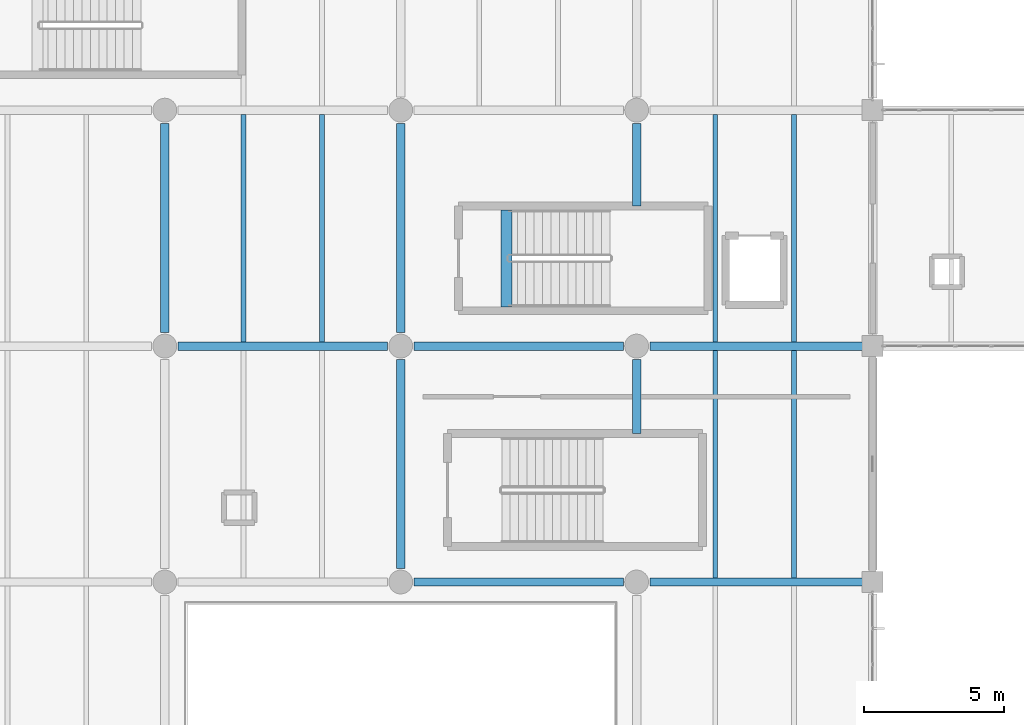
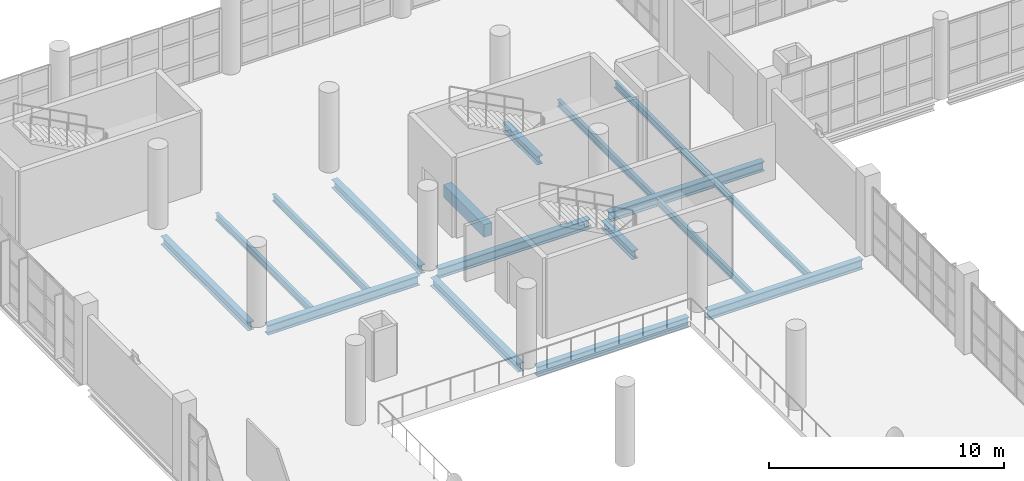
# One storey, part 57 of 177: 17 beams.
"""IFC4 building model written with IfcOpenShell, lengths in metres."""

from ifc_helpers import new_model, si_unit, direction, frame, origin, origin_2d, place, context, subcontext, project, spatial, rectangle, i_section, extrude, material, material_profile, profile_set, type_object, element, save


model = new_model("IFC4")

# Units and contexts
model_context = context("Model", 3, precision=1e-05, world=origin(), true_north=direction((0.0, 1.0)))
body_context = subcontext(model_context, "Body", "Model", "MODEL_VIEW")
ifc_project = project(units=[si_unit("LENGTHUNIT", "METRE"), si_unit("AREAUNIT", "SQUARE_METRE"), si_unit("VOLUMEUNIT", "CUBIC_METRE"), si_unit("PLANEANGLEUNIT", "RADIAN"), si_unit("MASSUNIT", "GRAM", prefix="KILO"), si_unit("THERMODYNAMICTEMPERATUREUNIT", "KELVIN"), si_unit("POWERUNIT", "WATT")], contexts=[model_context])

# Site, building, storey
site_placement = place(None, origin())
site = spatial("IfcSite", under=ifc_project, at=site_placement, CompositionType="ELEMENT")
building_placement = place(site_placement, origin())
building = spatial("IfcBuilding", under=site, at=building_placement, Name="Mavoryth Pier Ferry Terminal", CompositionType="ELEMENT")
storey_placement = place(building_placement, frame((0.0, 0.0, 5.43994140625)))
storey = spatial("IfcBuildingStorey", under=building, at=storey_placement, Name="L01", CompositionType="ELEMENT", Elevation=5.43994140625)

# Beams
ifc_material_1 = material(Name="Steel S355J2", Category="steel")
ifc_material_profile_1 = material_profile(ifc_material_1, i_section(OverallWidth=0.300048828125, OverallDepth=0.43994140625, WebThickness=0.011474609375, FlangeThickness=0.02099609375, FilletRadius=0.027099609375, at=origin_2d()), Name="HEA 450", Category="steel")
ifc_profile_set_1 = profile_set([ifc_material_profile_1], Name="Steel S355J2 - HEA 450")
beam_type_1 = type_object("IfcBeamType", Name="Beam-Steel-HEA450", PredefinedType="BEAM", material=ifc_profile_set_1)
beam_1_placement = place(storey_placement, frame((8.39990234375, 89.675048828125, -0.5), z_axis=(0.0, 1.0, 0.0), x_axis=(-1.0, 0.0, 0.0)))
element("IfcBeam", 1, at=beam_1_placement, inside=storey, type_object=beam_type_1, Name="Beam B01-SB03-0090", PredefinedType="BEAM", context=body_context, shape_type="SweptSolid", body=[
    extrude(i_section(OverallWidth=0.300048828125, OverallDepth=0.43994140625, WebThickness=0.011474609375, FlangeThickness=0.02099609375, FilletRadius=0.027099609375, at=origin_2d()), origin(), (0.0, 0.0, 1.0), 7.449951171875),
])
beam_2_placement = place(storey_placement, frame((16.800048828125, 81.27490234375, -0.5), z_axis=(0.0, 1.0, 0.0), x_axis=(-1.0, 0.0, 0.0)))
element("IfcBeam", 2, at=beam_2_placement, inside=storey, type_object=beam_type_1, Name="Beam B01-SB03-0094", PredefinedType="BEAM", context=body_context, shape_type="SweptSolid", body=[
    extrude(i_section(OverallWidth=0.300048828125, OverallDepth=0.43994140625, WebThickness=0.011474609375, FlangeThickness=0.02099609375, FilletRadius=0.027099609375, at=origin_2d()), origin(), (0.0, 0.0, 1.0), 7.4501953125),
])
beam_3_placement = place(storey_placement, frame((16.800048828125, 89.675048828125, -0.5), z_axis=(0.0, 1.0, 0.0), x_axis=(-1.0, 0.0, 0.0)))
element("IfcBeam", 3, at=beam_3_placement, inside=storey, type_object=beam_type_1, Name="Beam B01-SB03-0095", PredefinedType="BEAM", context=body_context, shape_type="SweptSolid", body=[
    extrude(i_section(OverallWidth=0.300048828125, OverallDepth=0.43994140625, WebThickness=0.011474609375, FlangeThickness=0.02099609375, FilletRadius=0.027099609375, at=origin_2d()), origin(), (0.0, 0.0, 1.0), 7.449951171875),
])
beam_4_placement = place(storey_placement, frame((25.199951171875, 86.080078125, -0.5), z_axis=(0.0, 1.0, 0.0), x_axis=(-1.0, 0.0, 0.0)))
element("IfcBeam", 4, at=beam_4_placement, inside=storey, type_object=beam_type_1, Name="Beam B01-SB03-0101", PredefinedType="BEAM", context=body_context, shape_type="SweptSolid", body=[
    extrude(i_section(OverallWidth=0.300048828125, OverallDepth=0.43994140625, WebThickness=0.011474609375, FlangeThickness=0.02099609375, FilletRadius=0.027099609375, at=origin_2d()), origin(), (0.0, 0.0, 1.0), 2.64501953125),
])
beam_5_placement = place(storey_placement, frame((25.199951171875, 94.179931640625, -0.5), z_axis=(0.0, 1.0, 0.0), x_axis=(-1.0, 0.0, 0.0)))
element("IfcBeam", 5, at=beam_5_placement, inside=storey, type_object=beam_type_1, Name="Beam B01-SB03-0102", PredefinedType="BEAM", context=body_context, shape_type="SweptSolid", body=[
    extrude(i_section(OverallWidth=0.300048828125, OverallDepth=0.43994140625, WebThickness=0.011474609375, FlangeThickness=0.02099609375, FilletRadius=0.027099609375, at=origin_2d()), origin(), (0.0, 0.0, 1.0), 2.945068359375),
])
ifc_material_profile_2 = material_profile(ifc_material_1, i_section(OverallWidth=0.300048828125, OverallDepth=0.5, WebThickness=0.014404296875, FlangeThickness=0.028076171875, FilletRadius=0.027099609375, at=origin_2d()), Name="HEB 500", Category="steel")
ifc_profile_set_2 = profile_set([ifc_material_profile_2], Name="Steel S355J2 - HEB 500")
beam_type_2 = type_object("IfcBeamType", Name="Beam-Steel-HEB500", PredefinedType="BEAM", material=ifc_profile_set_2)
beam_6_placement = place(storey_placement, frame((17.27490234375, 80.800048828125, -0.530029296875), z_axis=(1.0, 0.0, 0.0), x_axis=(0.0, 1.0, 0.0)))
element("IfcBeam", 6, at=beam_6_placement, inside=storey, type_object=beam_type_2, Name="Beam B01-SB01-0064", PredefinedType="BEAM", context=body_context, shape_type="SweptSolid", body=[
    extrude(i_section(OverallWidth=0.300048828125, OverallDepth=0.5, WebThickness=0.014404296875, FlangeThickness=0.028076171875, FilletRadius=0.027099609375, at=origin_2d()), origin(), (0.0, 0.0, 1.0), 7.4501953125),
])
beam_7_placement = place(storey_placement, frame((25.675048828125, 80.800048828125, -0.530029296875), z_axis=(1.0, 0.0, 0.0), x_axis=(0.0, 1.0, 0.0)))
element("IfcBeam", 7, at=beam_7_placement, inside=storey, type_object=beam_type_2, Name="Beam B01-SB01-0065", PredefinedType="BEAM", context=body_context, shape_type="SweptSolid", body=[
    extrude(i_section(OverallWidth=0.300048828125, OverallDepth=0.5, WebThickness=0.014404296875, FlangeThickness=0.028076171875, FilletRadius=0.027099609375, at=origin_2d()), origin(), (0.0, 0.0, 1.0), 7.599853515625),
])
beam_8_placement = place(storey_placement, frame((8.875, 89.199951171875, -0.530029296875), z_axis=(1.0, 0.0, 0.0), x_axis=(0.0, 1.0, 0.0)))
element("IfcBeam", 8, at=beam_8_placement, inside=storey, type_object=beam_type_2, Name="Beam B01-SB01-0067", PredefinedType="BEAM", context=body_context, shape_type="SweptSolid", body=[
    extrude(i_section(OverallWidth=0.300048828125, OverallDepth=0.5, WebThickness=0.014404296875, FlangeThickness=0.028076171875, FilletRadius=0.027099609375, at=origin_2d()), origin(), (0.0, 0.0, 1.0), 7.449951171875),
])
beam_9_placement = place(storey_placement, frame((17.27490234375, 89.199951171875, -0.530029296875), z_axis=(1.0, 0.0, 0.0), x_axis=(0.0, 1.0, 0.0)))
element("IfcBeam", 9, at=beam_9_placement, inside=storey, type_object=beam_type_2, Name="Beam B01-SB01-0068", PredefinedType="BEAM", context=body_context, shape_type="SweptSolid", body=[
    extrude(i_section(OverallWidth=0.300048828125, OverallDepth=0.5, WebThickness=0.014404296875, FlangeThickness=0.028076171875, FilletRadius=0.027099609375, at=origin_2d()), origin(), (0.0, 0.0, 1.0), 7.4501953125),
])
beam_10_placement = place(storey_placement, frame((25.675048828125, 89.199951171875, -0.530029296875), z_axis=(1.0, 0.0, 0.0), x_axis=(0.0, 1.0, 0.0)))
element("IfcBeam", 10, at=beam_10_placement, inside=storey, type_object=beam_type_2, Name="Beam B01-SB01-0069", PredefinedType="BEAM", context=body_context, shape_type="SweptSolid", body=[
    extrude(i_section(OverallWidth=0.300048828125, OverallDepth=0.5, WebThickness=0.014404296875, FlangeThickness=0.028076171875, FilletRadius=0.027099609375, at=origin_2d()), origin(), (0.0, 0.0, 1.0), 7.599853515625),
])
ifc_material_2 = material(Name="Concrete C35/45", Category="concrete")
ifc_material_profile_3 = material_profile(ifc_material_2, rectangle(XDim=0.39990234375, YDim=0.64990234375, at=origin_2d()), Name="RC 400x650", Category="concrete")
ifc_profile_set_3 = profile_set([ifc_material_profile_3], Name="Concrete C35/45 - RC 400x650")
beam_type_3 = type_object("IfcBeamType", Name="Girder-RC-400x650", PredefinedType="BEAM", material=ifc_profile_set_3)
beam_11_placement = place(storey_placement, frame((20.570068359375, 90.60009765625, -0.324951171875), z_axis=(0.0, 1.0, 0.0), x_axis=(-1.0, 0.0, 0.0)))
element("IfcBeam", 11, at=beam_11_placement, inside=storey, type_object=beam_type_3, Name="Beam B01-BG05-1567", PredefinedType="BEAM", context=body_context, shape_type="SweptSolid", body=[
    extrude(rectangle(XDim=0.39990234375, YDim=0.64990234375, at=origin_2d()), origin(), (0.0, 0.0, 1.0), 3.449951171875),
])
ifc_material_profile_4 = material_profile(ifc_material_1, i_section(OverallWidth=0.169921875, OverallDepth=0.360107421875, WebThickness=0.008056640625, FlangeThickness=0.0126953125, FilletRadius=0.01806640625, at=origin_2d()), Name="IPE 360", Category="steel")
ifc_profile_set_4 = profile_set([ifc_material_profile_4], Name="Steel S355J2 - IPE 360")
beam_type_4 = type_object("IfcBeamType", Name="Joist-Steel-IPE360", PredefinedType="JOIST", material=ifc_profile_set_4)
for number, where, z_axis, x_axis, name in (
    (12, (11.199951171875, 89.35009765625, -0.4599609375), (0.0, 1.0, 0.0), (-1.0, 0.0, 0.0), "Beam B01-SJ02-0125"),
    (13, (14.0, 89.35009765625, -0.4599609375), (0.0, 1.0, 0.0), (-1.0, 0.0, 0.0), "Beam B01-SJ02-0126"),
):
    element("IfcBeam", number, at=place(storey_placement, frame(where, z_axis=z_axis, x_axis=x_axis)), inside=storey, type_object=beam_type_4, Name=name, PredefinedType="JOIST", context=body_context, shape_type="SweptSolid", body=[
        extrude(i_section(OverallWidth=0.169921875, OverallDepth=0.360107421875, WebThickness=0.008056640625, FlangeThickness=0.0126953125, FilletRadius=0.01806640625, at=origin_2d()), origin(), (0.0, 0.0, 1.0), 8.099853515625),
    ])
for number, where, z_axis, x_axis, name in (
    (14, (28.0, 80.949951171875, -0.4599609375), (0.0, 1.0, 0.0), (-1.0, 0.0, 0.0), "Beam B01-SJ02-0143"),
    (15, (30.800048828125, 80.949951171875, -0.4599609375), (0.0, 1.0, 0.0), (-1.0, 0.0, 0.0), "Beam B01-SJ02-0144"),
):
    element("IfcBeam", number, at=place(storey_placement, frame(where, z_axis=z_axis, x_axis=x_axis)), inside=storey, type_object=beam_type_4, Name=name, PredefinedType="JOIST", context=body_context, shape_type="SweptSolid", body=[
        extrude(i_section(OverallWidth=0.169921875, OverallDepth=0.360107421875, WebThickness=0.008056640625, FlangeThickness=0.0126953125, FilletRadius=0.01806640625, at=origin_2d()), origin(), (0.0, 0.0, 1.0), 8.10009765625),
    ])
for number, where, z_axis, x_axis, name in (
    (16, (28.0, 89.35009765625, -0.4599609375), (0.0, 1.0, 0.0), (-1.0, 0.0, 0.0), "Beam B01-SJ02-0145"),
    (17, (30.800048828125, 89.35009765625, -0.4599609375), (0.0, 1.0, 0.0), (-1.0, 0.0, 0.0), "Beam B01-SJ02-0146"),
):
    element("IfcBeam", number, at=place(storey_placement, frame(where, z_axis=z_axis, x_axis=x_axis)), inside=storey, type_object=beam_type_4, Name=name, PredefinedType="JOIST", context=body_context, shape_type="SweptSolid", body=[
        extrude(i_section(OverallWidth=0.169921875, OverallDepth=0.360107421875, WebThickness=0.008056640625, FlangeThickness=0.0126953125, FilletRadius=0.01806640625, at=origin_2d()), origin(), (0.0, 0.0, 1.0), 8.099853515625),
    ])

save(model, "model.ifc")
